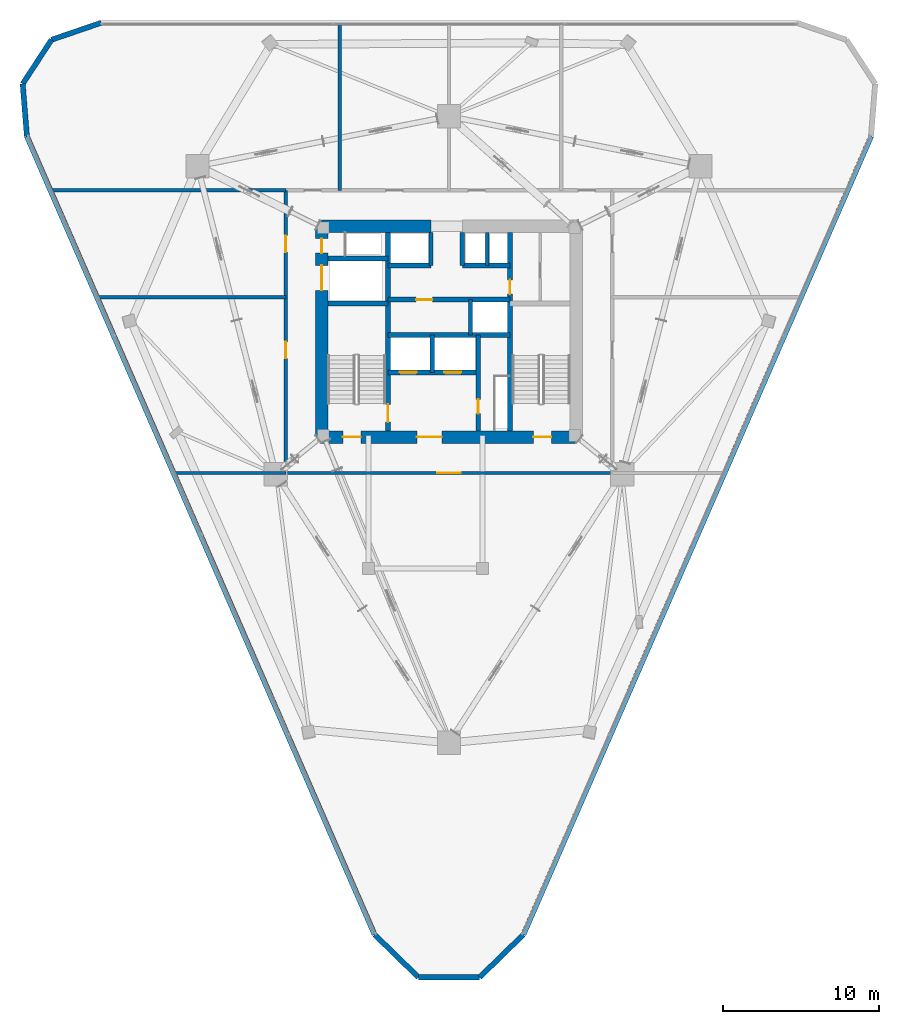
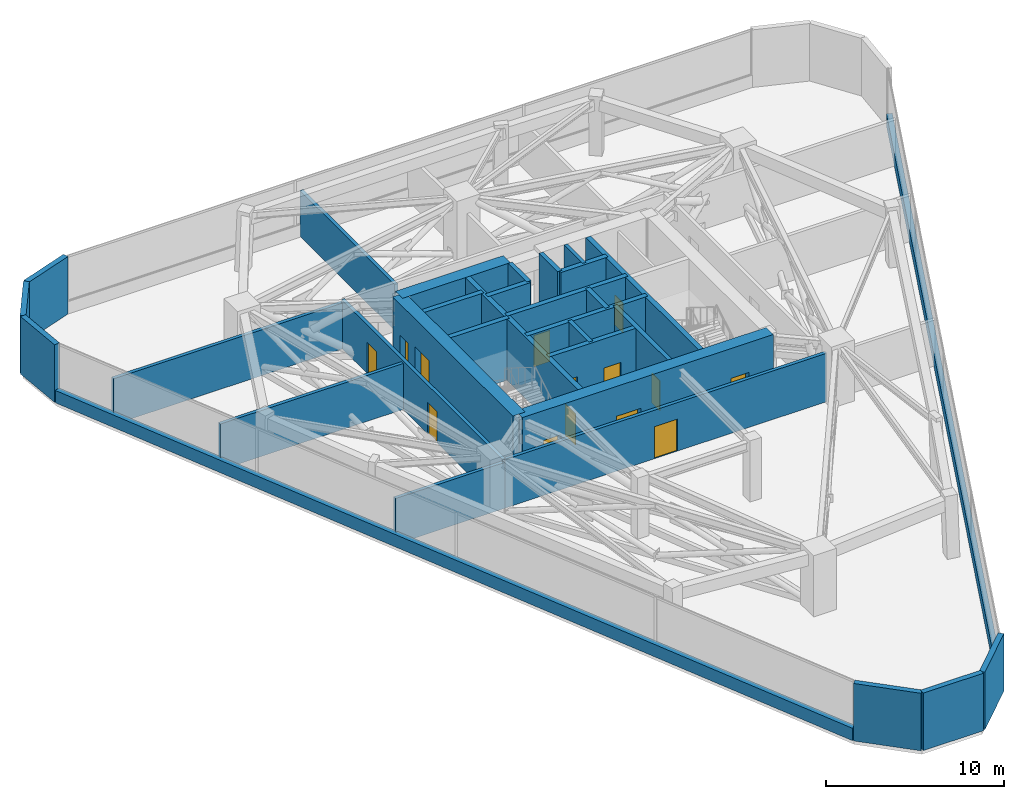
# One storey, part 11 of 13: 32 walls, 14 doors, 14 openings.
"""IFC4 building model written with IfcOpenShell, lengths in metres."""

from ifc_helpers import new_model, si_unit, direction, frame, frame_2d, origin, place, context, subcontext, project, spatial, rectangle, extrude, material, layer, layer_set, type_object, element, fill, save


model = new_model("IFC4")

# Units and contexts
model_context = context("Model", 3, precision=1e-05, world=origin(), true_north=direction((0.0, 1.0)))
body_context = subcontext(model_context, "Body", "Model", "MODEL_VIEW")
ifc_project = project(units=[si_unit("LENGTHUNIT", "METRE"), si_unit("AREAUNIT", "SQUARE_METRE"), si_unit("VOLUMEUNIT", "CUBIC_METRE"), si_unit("PLANEANGLEUNIT", "RADIAN"), si_unit("MASSUNIT", "GRAM", prefix="KILO")], contexts=[model_context])

# Site, building, storey
site_placement = place(None, origin())
site = spatial("IfcSite", under=ifc_project, at=site_placement, CompositionType="ELEMENT")
building_placement = place(site_placement, origin())
building = spatial("IfcBuilding", under=site, at=building_placement, Name="Talyreon Biosciences Tower", CompositionType="ELEMENT")
storey_placement = place(building_placement, frame((0.0, 0.0, 175.199951171875)))
storey = spatial("IfcBuildingStorey", under=building, at=storey_placement, Name="L46", CompositionType="ELEMENT", Elevation=175.199951171875)

# Walls
ifc_material_1 = material(Name="Concrete C50/60", Category="concrete")
ifc_layer_1 = layer(ifc_material_1, 0.219970703125)
ifc_layer_set_1 = layer_set([ifc_layer_1], Name="Concrete C50/60")
wall_type_1 = type_object("IfcWallType", Name="CoreShearWall_220", PredefinedType="SHEAR", material=ifc_layer_set_1)
wall_1_placement = place(storey_placement, frame((68.4599609375, 72.25, 0.0), z_axis=(0.0, 0.0, 1.0), x_axis=(0.0, 1.0, 0.0)))
element("IfcWall", 1, at=wall_1_placement, inside=storey, type_object=wall_type_1, Name="L46 Core Shaft Wall SWPHD", PredefinedType="SHEAR", context=body_context, shape_type="SweptSolid", body=[
    extrude(rectangle(XDim=2.10009765625, YDim=0.219970703125, at=frame_2d((1.050048828125, 0.0))), origin(), (0.0, 0.0, 1.0), 4.199951171875),
])
ifc_layer_2 = layer(ifc_material_1, 0.280029296875)
ifc_layer_set_2 = layer_set([ifc_layer_2], Name="Concrete C50/60")
wall_type_2 = type_object("IfcWallType", Name="CoreShearWall_280", PredefinedType="SHEAR", material=ifc_layer_set_2)
wall_2_placement = place(storey_placement, frame((64.919921875, 65.39990234375, 0.0), z_axis=(0.0, 0.0, 1.0), x_axis=(0.0, 1.0, 0.0)))
element("IfcWall", 2, at=wall_2_placement, inside=storey, type_object=wall_type_2, Name="L46 Core Shaft Wall SWSHD1", PredefinedType="SHEAR", context=body_context, shape_type="SweptSolid", body=[
    extrude(rectangle(XDim=2.400146484375, YDim=0.280029296875, at=frame_2d((1.2001953125, 0.0))), origin(), (0.0, 0.0, 1.0), 4.199951171875),
])
for number, where, z_axis, x_axis, name in (
    (3, (64.85009765625, 72.25, 0.0), (0.0, 0.0, 1.0), (0.0, 1.0, 0.0), "L46 Core Shaft Wall SWTHW"),
    (4, (66.85009765625, 72.25, 0.0), (0.0, 0.0, 1.0), (0.0, 1.0, 0.0), "L46 Core Shaft Wall SWTHE"),
):
    element("IfcWall", number, at=place(storey_placement, frame(where, z_axis=z_axis, x_axis=x_axis)), inside=storey, type_object=wall_type_2, Name=name, PredefinedType="SHEAR", context=body_context, shape_type="SweptSolid", body=[
        extrude(rectangle(XDim=2.10009765625, YDim=0.280029296875, at=frame_2d((1.050048828125, 0.0))), origin(), (0.0, 0.0, 1.0), 4.199951171875),
    ])

# Wall, opening, door
wall_3_placement = place(storey_placement, frame((67.8798828125, 61.64990234375, 0.0), z_axis=(0.0, 0.0, 1.0), x_axis=(0.0, 1.0, 0.0)))
wall_3 = element("IfcWall", 5, at=wall_3_placement, inside=storey, type_object=wall_type_2, Name="L46 Core Shaft Wall SWFFE", PredefinedType="SHEAR", context=body_context, shape_type="SweptSolid", body=[
    extrude(rectangle(XDim=6.150146484375, YDim=0.280029296875, at=frame_2d((3.0751953125, 0.0))), origin(), (0.0, 0.0, 1.0), 4.199951171875),
])
opening_1_placement = place(wall_3_placement, frame((1.10009765625, 0.0, 0.0)))
opening_1 = element("IfcOpeningElement", 6, at=opening_1_placement, cuts=wall_3, Name="Opening DR-L46-RSE", PredefinedType="OPENING", context=body_context, shape_type="SweptSolid", body=[
    extrude(rectangle(XDim=0.919921875, YDim=2.050048828125, at=frame_2d((0.4599609375, 1.02490234375))), frame((0.0, 0.14990234375, 0.0), z_axis=(0.0, -1.0, 0.0), x_axis=(1.0, 0.0, 0.0)), (0.0, 0.0, 1.0), 0.300048828125),
])
ifc_material_2 = material(Name="Painted steel fire-rated riser door", Category="steel")
door_type_1 = type_object("IfcDoorType", Name="RiserPlantAccessDoor_920x2050", OperationType="NOTDEFINED", PredefinedType="DOOR", material=ifc_material_2)
door_1_placement = place(opening_1_placement, origin())
door_1 = element("IfcDoor", 7, at=door_1_placement, inside=storey, type_object=door_type_1, Name="L46 Core Door DR-L46-RSE", OperationType="SINGLE_SWING_RIGHT", OverallHeight=2.050048828125, OverallWidth=0.919921875, PredefinedType="DOOR", context=body_context, shape_type="SweptSolid", body=[
    extrude(rectangle(XDim=0.919921875, YDim=2.050048828125, at=frame_2d((0.4599609375, 1.02490234375))), frame((0.0, 0.02490234375, 0.0), z_axis=(0.0, -1.0, 0.0), x_axis=(1.0, 0.0, 0.0)), (0.0, 0.0, 1.0), 0.050048828125),
])
fill(opening_1, door_1)

# Wall
wall_4_placement = place(storey_placement, frame((67.3798828125, 67.800048828125, 0.0), z_axis=(0.0, 0.0, 1.0), x_axis=(0.0, 1.0, 0.0)))
element("IfcWall", 8, at=wall_4_placement, inside=storey, type_object=wall_type_2, Name="L46 Core Shaft Wall SWPMD", PredefinedType="SHEAR", context=body_context, shape_type="SweptSolid", body=[
    extrude(rectangle(XDim=2.25, YDim=0.280029296875, at=frame_2d((1.125, 0.0))), origin(), (0.0, 0.0, 1.0), 4.199951171875),
])

# Wall, opening, door
ifc_layer_3 = layer(ifc_material_1, 0.320068359375)
ifc_layer_set_3 = layer_set([ifc_layer_3], Name="Concrete C50/60")
wall_type_3 = type_object("IfcWallType", Name="CoreShearWall_320", PredefinedType="SHEAR", material=ifc_layer_set_3)
wall_5_placement = place(storey_placement, frame((62.090087890625, 61.64990234375, 0.0), z_axis=(0.0, 0.0, 1.0), x_axis=(0.0, 1.0, 0.0)))
wall_5 = element("IfcWall", 9, at=wall_5_placement, inside=storey, type_object=wall_type_3, Name="L46 Core Shaft Wall SW1E", PredefinedType="SHEAR", context=body_context, shape_type="SweptSolid", body=[
    extrude(rectangle(XDim=12.7001953125, YDim=0.320068359375, at=frame_2d((6.35009765625, 0.0))), origin(), (0.0, 0.0, 1.0), 4.199951171875),
])
opening_2_placement = place(wall_5_placement, frame((0.550048828125, 0.0, 0.0)))
opening_2 = element("IfcOpeningElement", 10, at=opening_2_placement, cuts=wall_5, Name="Opening DR-L46-FF-ST1", PredefinedType="OPENING", context=body_context, shape_type="SweptSolid", body=[
    extrude(rectangle(XDim=1.14990234375, YDim=2.14990234375, at=frame_2d((0.574951171875, 1.074951171875))), frame((0.0, 0.169921875, 0.0), z_axis=(0.0, -1.0, 0.0), x_axis=(1.0, 0.0, 0.0)), (0.0, 0.0, 1.0), 0.340087890625),
])
ifc_material_3 = material(Name="Painted steel fire door", Category="steel")
door_type_2 = type_object("IfcDoorType", Name="StairShaftFireDoor_1150x2150", OperationType="NOTDEFINED", PredefinedType="DOOR", material=ifc_material_3)
door_2_placement = place(opening_2_placement, origin())
door_2 = element("IfcDoor", 11, at=door_2_placement, inside=storey, type_object=door_type_2, Name="L46 Core Door DR-L46-FF-ST1", OperationType="SINGLE_SWING_LEFT", OverallHeight=2.14990234375, OverallWidth=1.14990234375, PredefinedType="DOOR", context=body_context, shape_type="SweptSolid", body=[
    extrude(rectangle(XDim=1.14990234375, YDim=2.14990234375, at=frame_2d((0.574951171875, 1.074951171875))), frame((0.0, 0.02490234375, 0.0), z_axis=(0.0, -1.0, 0.0), x_axis=(1.0, 0.0, 0.0)), (0.0, 0.0, 1.0), 0.050048828125),
])
fill(opening_2, door_2)

wall_6_placement = place(storey_placement, frame((69.909912109375, 61.64990234375, 0.0), z_axis=(0.0, 0.0, 1.0), x_axis=(0.0, 1.0, 0.0)))
wall_6 = element("IfcWall", 12, at=wall_6_placement, inside=storey, type_object=wall_type_3, Name="L46 Core Shaft Wall SW2W", PredefinedType="SHEAR", context=body_context, shape_type="SweptSolid", body=[
    extrude(rectangle(XDim=12.7001953125, YDim=0.320068359375, at=frame_2d((6.35009765625, 0.0))), origin(), (0.0, 0.0, 1.0), 4.199951171875),
])
opening_3_placement = place(wall_6_placement, frame((8.75, 0.0, 0.0)))
opening_3 = element("IfcOpeningElement", 13, at=opening_3_placement, cuts=wall_6, Name="Opening DR-L46-CSRV", PredefinedType="OPENING", context=body_context, shape_type="SweptSolid", body=[
    extrude(rectangle(XDim=0.919921875, YDim=2.050048828125, at=frame_2d((0.4599609375, 1.02490234375))), frame((0.0, 0.169921875, 0.0), z_axis=(0.0, -1.0, 0.0), x_axis=(1.0, 0.0, 0.0)), (0.0, 0.0, 1.0), 0.340087890625),
])
door_3_placement = place(opening_3_placement, origin())
door_3 = element("IfcDoor", 14, at=door_3_placement, inside=storey, type_object=door_type_1, Name="L46 Core Door DR-L46-CSRV", OperationType="SINGLE_SWING_RIGHT", OverallHeight=2.050048828125, OverallWidth=0.919921875, PredefinedType="DOOR", context=body_context, shape_type="SweptSolid", body=[
    extrude(rectangle(XDim=0.919921875, YDim=2.050048828125, at=frame_2d((0.4599609375, 1.02490234375))), frame((0.0, 0.02490234375, 0.0), z_axis=(0.0, -1.0, 0.0), x_axis=(1.0, 0.0, 0.0)), (0.0, 0.0, 1.0), 0.050048828125),
])
fill(opening_3, door_3)

# Walls
for number, where, z_axis, x_axis, name in (
    (15, (58.25, 69.81005859375, 0.0), (0.0, 0.0, 1.0), (1.0, 0.0, 0.0), "L46 Core Shaft Wall SW1N"),
    (16, (58.25, 72.699951171875, 0.0), (0.0, 0.0, 1.0), (1.0, 0.0, 0.0), "L46 Core Shaft Wall SWGLN"),
):
    element("IfcWall", number, at=place(storey_placement, frame(where, z_axis=z_axis, x_axis=x_axis)), inside=storey, type_object=wall_type_3, Name=name, PredefinedType="SHEAR", context=body_context, shape_type="SweptSolid", body=[
        extrude(rectangle(XDim=3.840087890625, YDim=0.320068359375, at=frame_2d((1.919921875, 0.0))), origin(), (0.0, 0.0, 1.0), 4.199951171875),
    ])
wall_7_placement = place(storey_placement, frame((62.090087890625, 67.800048828125, 0.0), z_axis=(0.0, 0.0, 1.0), x_axis=(1.0, 0.0, 0.0)))
element("IfcWall", 17, at=wall_7_placement, inside=storey, type_object=wall_type_3, Name="L46 Core Shaft Wall SWSHM", PredefinedType="SHEAR", context=body_context, shape_type="SweptSolid", body=[
    extrude(rectangle(XDim=7.81982421875, YDim=0.320068359375, at=frame_2d((3.909912109375, 0.0))), origin(), (0.0, 0.0, 1.0), 4.199951171875),
])

# Wall, opening, door
wall_8_placement = place(storey_placement, frame((62.090087890625, 70.050048828125, 0.0), z_axis=(0.0, 0.0, 1.0), x_axis=(1.0, 0.0, 0.0)))
wall_8 = element("IfcWall", 18, at=wall_8_placement, inside=storey, type_object=wall_type_3, Name="L46 Core Shaft Wall SWSPN", PredefinedType="SHEAR", context=body_context, shape_type="SweptSolid", body=[
    extrude(rectangle(XDim=7.81982421875, YDim=0.320068359375, at=frame_2d((3.909912109375, 0.0))), origin(), (0.0, 0.0, 1.0), 4.199951171875),
])
opening_4_placement = place(wall_8_placement, frame((1.800048828125, 0.0, 0.0)))
opening_4 = element("IfcOpeningElement", 19, at=opening_4_placement, cuts=wall_8, Name="Opening DR-L46-PLFREE-A", PredefinedType="OPENING", context=body_context, shape_type="SweptSolid", body=[
    extrude(rectangle(XDim=1.050048828125, YDim=2.14990234375, at=frame_2d((0.52490234375, 1.074951171875))), frame((0.0, 0.169921875, 0.0), z_axis=(0.0, -1.0, 0.0), x_axis=(1.0, 0.0, 0.0)), (0.0, 0.0, 1.0), 0.340087890625),
])
ifc_material_4 = material(Name="Acoustic timber-core laboratory door", Category="wood")
door_type_3 = type_object("IfcDoorType", Name="DryLabSingleDoor_1050x2150", OperationType="NOTDEFINED", PredefinedType="DOOR", material=ifc_material_4)
door_4_placement = place(opening_4_placement, origin())
door_4 = element("IfcDoor", 20, at=door_4_placement, inside=storey, type_object=door_type_3, Name="L46 Core Door DR-L46-PLFREE-A", OperationType="SINGLE_SWING_LEFT", OverallHeight=2.14990234375, OverallWidth=1.050048828125, PredefinedType="DOOR", context=body_context, shape_type="SweptSolid", body=[
    extrude(rectangle(XDim=1.050048828125, YDim=2.14990234375, at=frame_2d((0.52490234375, 1.074951171875))), frame((0.0, 0.02490234375, 0.0), z_axis=(0.0, -1.0, 0.0), x_axis=(1.0, 0.0, 0.0)), (0.0, 0.0, 1.0), 0.050048828125),
])
fill(opening_4, door_4)

# Walls
wall_9_placement = place(storey_placement, frame((62.090087890625, 72.25, 0.0), z_axis=(0.0, 0.0, 1.0), x_axis=(1.0, 0.0, 0.0)))
element("IfcWall", 21, at=wall_9_placement, inside=storey, type_object=wall_type_3, Name="L46 Core Shaft Wall SWNPW", PredefinedType="SHEAR", context=body_context, shape_type="SweptSolid", body=[
    extrude(rectangle(XDim=2.760009765625, YDim=0.320068359375, at=frame_2d((1.3798828125, 0.0))), origin(), (0.0, 0.0, 1.0), 4.199951171875),
])
wall_10_placement = place(storey_placement, frame((66.85009765625, 72.25, 0.0), z_axis=(0.0, 0.0, 1.0), x_axis=(1.0, 0.0, 0.0)))
element("IfcWall", 22, at=wall_10_placement, inside=storey, type_object=wall_type_3, Name="L46 Core Shaft Wall SWNPE", PredefinedType="SHEAR", context=body_context, shape_type="SweptSolid", body=[
    extrude(rectangle(XDim=3.059814453125, YDim=0.320068359375, at=frame_2d((1.52978515625, 0.0))), origin(), (0.0, 0.0, 1.0), 4.199951171875),
])

# Wall, openings, doors
wall_11_placement = place(storey_placement, frame((62.090087890625, 65.39990234375, 0.0), z_axis=(0.0, 0.0, 1.0), x_axis=(1.0, 0.0, 0.0)))
wall_11 = element("IfcWall", 23, at=wall_11_placement, inside=storey, type_object=wall_type_3, Name="L46 Core Shaft Wall SWFFN", PredefinedType="SHEAR", context=body_context, shape_type="SweptSolid", body=[
    extrude(rectangle(XDim=5.789794921875, YDim=0.320068359375, at=frame_2d((2.89501953125, 0.0))), origin(), (0.0, 0.0, 1.0), 4.199951171875),
])
opening_5_placement = place(wall_11_placement, frame((0.75, 0.0, 0.0)))
opening_5 = element("IfcOpeningElement", 24, at=opening_5_placement, cuts=wall_11, Name="Opening LD-L46-FL1", PredefinedType="OPENING", context=body_context, shape_type="SweptSolid", body=[
    extrude(rectangle(XDim=1.10009765625, YDim=2.199951171875, at=frame_2d((0.550048828125, 1.10009765625))), frame((0.0, 0.169921875, 0.0), z_axis=(0.0, -1.0, 0.0), x_axis=(1.0, 0.0, 0.0)), (0.0, 0.0, 1.0), 0.340087890625),
])
opening_6_placement = place(wall_11_placement, frame((3.60009765625, 0.0, 0.0)))
opening_6 = element("IfcOpeningElement", 25, at=opening_6_placement, cuts=wall_11, Name="Opening LD-L46-FL2", PredefinedType="OPENING", context=body_context, shape_type="SweptSolid", body=[
    extrude(rectangle(XDim=1.10009765625, YDim=2.199951171875, at=frame_2d((0.550048828125, 1.10009765625))), frame((0.0, 0.169921875, 0.0), z_axis=(0.0, -1.0, 0.0), x_axis=(1.0, 0.0, 0.0)), (0.0, 0.0, 1.0), 0.340087890625),
])
ifc_material_5 = material(Name="Brushed stainless-steel lift landing door", Category="steel")
door_type_4 = type_object("IfcDoorType", Name="LiftSlidingLandingDoor_1100x2200", OperationType="SLIDING_TO_LEFT", PredefinedType="DOOR", material=ifc_material_5)
door_5_placement = place(opening_5_placement, origin())
door_5 = element("IfcDoor", 26, at=door_5_placement, inside=storey, type_object=door_type_4, Name="L46 Core Door LD-L46-FL1", OperationType="SLIDING_TO_LEFT", OverallHeight=2.199951171875, OverallWidth=1.10009765625, PredefinedType="DOOR", context=body_context, shape_type="SweptSolid", body=[
    extrude(rectangle(XDim=1.10009765625, YDim=2.199951171875, at=frame_2d((0.550048828125, 1.10009765625))), frame((0.0, 0.02490234375, 0.0), z_axis=(0.0, -1.0, 0.0), x_axis=(1.0, 0.0, 0.0)), (0.0, 0.0, 1.0), 0.050048828125),
])
fill(opening_5, door_5)
door_6_placement = place(opening_6_placement, origin())
door_6 = element("IfcDoor", 27, at=door_6_placement, inside=storey, type_object=door_type_4, Name="L46 Core Door LD-L46-FL2", OperationType="SLIDING_TO_LEFT", OverallHeight=2.199951171875, OverallWidth=1.10009765625, PredefinedType="DOOR", context=body_context, shape_type="SweptSolid", body=[
    extrude(rectangle(XDim=1.10009765625, YDim=2.199951171875, at=frame_2d((0.550048828125, 1.10009765625))), frame((0.0, 0.02490234375, 0.0), z_axis=(0.0, -1.0, 0.0), x_axis=(1.0, 0.0, 0.0)), (0.0, 0.0, 1.0), 0.050048828125),
])
fill(opening_6, door_6)

ifc_material_6 = material(Name="Concrete C60/75", Category="concrete")
ifc_layer_4 = layer(ifc_material_6, 0.800048828125)
ifc_layer_set_4 = layer_set([ifc_layer_4], Name="Concrete C60/75")
wall_type_4 = type_object("IfcWallType", Name="CoreShearWall_800", PredefinedType="SHEAR", material=ifc_layer_set_4)
wall_12_placement = place(storey_placement, frame((57.85009765625, 61.25, 0.0), z_axis=(0.0, 0.0, 1.0), x_axis=(1.0, 0.0, 0.0)))
wall_12 = element("IfcWall", 28, at=wall_12_placement, inside=storey, type_object=wall_type_4, Name="L46 Core Shear Wall S", PredefinedType="SHEAR", context=body_context, shape_type="SweptSolid", body=[
    extrude(rectangle(XDim=16.2998046875, YDim=0.800048828125, at=frame_2d((8.14990234375, 0.0))), origin(), (0.0, 0.0, 1.0), 4.199951171875),
])
opening_7_placement = place(wall_12_placement, frame((1.35009765625, 0.0, 0.0)))
opening_7 = element("IfcOpeningElement", 29, at=opening_7_placement, cuts=wall_12, Name="Opening DR-L46-ST1", PredefinedType="OPENING", context=body_context, shape_type="SweptSolid", body=[
    extrude(rectangle(XDim=1.14990234375, YDim=2.14990234375, at=frame_2d((0.574951171875, 1.074951171875))), frame((0.0, 0.409912109375, 0.0), z_axis=(0.0, -1.0, 0.0), x_axis=(1.0, 0.0, 0.0)), (0.0, 0.0, 1.0), 0.820068359375),
])
opening_8_placement = place(wall_12_placement, frame((6.10009765625, 0.0, 0.0)))
opening_8 = element("IfcOpeningElement", 30, at=opening_8_placement, cuts=wall_12, Name="Opening DR-L46-FFL", PredefinedType="OPENING", context=body_context, shape_type="SweptSolid", body=[
    extrude(rectangle(XDim=1.60009765625, YDim=2.14990234375, at=frame_2d((0.800048828125, 1.074951171875))), frame((0.0, 0.409912109375, 0.0), z_axis=(0.0, -1.0, 0.0), x_axis=(1.0, 0.0, 0.0)), (0.0, 0.0, 1.0), 0.820068359375),
])
opening_9_placement = place(wall_12_placement, frame((13.550048828125, 0.0, 0.0)))
opening_9 = element("IfcOpeningElement", 31, at=opening_9_placement, cuts=wall_12, Name="Opening DR-L46-ST2", PredefinedType="OPENING", context=body_context, shape_type="SweptSolid", body=[
    extrude(rectangle(XDim=1.14990234375, YDim=2.14990234375, at=frame_2d((0.574951171875, 1.074951171875))), frame((0.0, 0.409912109375, 0.0), z_axis=(0.0, -1.0, 0.0), x_axis=(1.0, 0.0, 0.0)), (0.0, 0.0, 1.0), 0.820068359375),
])
ifc_material_7 = material(Name="Painted steel smoke-seal fire door", Category="steel")
door_type_5 = type_object("IfcDoorType", Name="FirefightingLobbyDoubleDoor_1600x2150", OperationType="DOUBLE_DOOR_SINGLE_SWING", PredefinedType="DOOR", material=ifc_material_7)
door_7_placement = place(opening_8_placement, origin())
door_7 = element("IfcDoor", 32, at=door_7_placement, inside=storey, type_object=door_type_5, Name="L46 Core Door DR-L46-FFL", OperationType="DOUBLE_DOOR_SINGLE_SWING", OverallHeight=2.14990234375, OverallWidth=1.60009765625, PredefinedType="DOOR", context=body_context, shape_type="SweptSolid", body=[
    extrude(rectangle(XDim=1.60009765625, YDim=2.14990234375, at=frame_2d((0.800048828125, 1.074951171875))), frame((0.0, 0.02490234375, 0.0), z_axis=(0.0, -1.0, 0.0), x_axis=(1.0, 0.0, 0.0)), (0.0, 0.0, 1.0), 0.050048828125),
])
fill(opening_8, door_7)
door_8_placement = place(opening_7_placement, origin())
door_8 = element("IfcDoor", 33, at=door_8_placement, inside=storey, type_object=door_type_2, Name="L46 Core Door DR-L46-ST1", OperationType="SINGLE_SWING_LEFT", OverallHeight=2.14990234375, OverallWidth=1.14990234375, PredefinedType="DOOR", context=body_context, shape_type="SweptSolid", body=[
    extrude(rectangle(XDim=1.14990234375, YDim=2.14990234375, at=frame_2d((0.574951171875, 1.074951171875))), frame((0.0, 0.02490234375, 0.0), z_axis=(0.0, -1.0, 0.0), x_axis=(1.0, 0.0, 0.0)), (0.0, 0.0, 1.0), 0.050048828125),
])
fill(opening_7, door_8)
door_9_placement = place(opening_9_placement, origin())
door_9 = element("IfcDoor", 34, at=door_9_placement, inside=storey, type_object=door_type_2, Name="L46 Core Door DR-L46-ST2", OperationType="SINGLE_SWING_RIGHT", OverallHeight=2.14990234375, OverallWidth=1.14990234375, PredefinedType="DOOR", context=body_context, shape_type="SweptSolid", body=[
    extrude(rectangle(XDim=1.14990234375, YDim=2.14990234375, at=frame_2d((0.574951171875, 1.074951171875))), frame((0.0, 0.02490234375, 0.0), z_axis=(0.0, -1.0, 0.0), x_axis=(1.0, 0.0, 0.0)), (0.0, 0.0, 1.0), 0.050048828125),
])
fill(opening_9, door_9)

# Wall
wall_13_placement = place(storey_placement, frame((64.85009765625, 74.75, 0.0), z_axis=(0.0, 0.0, 1.0), x_axis=(-1.0, 0.0, 0.0)))
element("IfcWall", 35, at=wall_13_placement, inside=storey, type_object=wall_type_4, Name="L46 Core Shear Wall NW", PredefinedType="SHEAR", context=body_context, shape_type="SweptSolid", body=[
    extrude(rectangle(XDim=7.0, YDim=0.800048828125, at=frame_2d((3.5, 0.0))), origin(), (0.0, 0.0, 1.0), 4.199951171875),
])

# Wall, openings, doors
wall_14_placement = place(storey_placement, frame((57.85009765625, 74.75, 0.0), z_axis=(0.0, 0.0, 1.0), x_axis=(0.0, -1.0, 0.0)))
wall_14 = element("IfcWall", 36, at=wall_14_placement, inside=storey, type_object=wall_type_4, Name="L46 Core Shear Wall W", PredefinedType="SHEAR", context=body_context, shape_type="SweptSolid", body=[
    extrude(rectangle(XDim=13.5, YDim=0.800048828125, at=frame_2d((6.75, 0.0))), origin(), (0.0, 0.0, 1.0), 4.199951171875),
])
opening_10_placement = place(wall_14_placement, frame((0.800048828125, 0.0, 0.0)))
opening_10 = element("IfcOpeningElement", 37, at=opening_10_placement, cuts=wall_14, Name="Opening DR-L46-RSW", PredefinedType="OPENING", context=body_context, shape_type="SweptSolid", body=[
    extrude(rectangle(XDim=0.919921875, YDim=2.050048828125, at=frame_2d((0.4599609375, 1.02490234375))), frame((0.0, 0.409912109375, 0.0), z_axis=(0.0, -1.0, 0.0), x_axis=(1.0, 0.0, 0.0)), (0.0, 0.0, 1.0), 0.820068359375),
])
opening_11_placement = place(wall_14_placement, frame((2.5, 0.0, 0.0)))
opening_11 = element("IfcOpeningElement", 38, at=opening_11_placement, cuts=wall_14, Name="Opening LD-L46-GL1", PredefinedType="OPENING", context=body_context, shape_type="SweptSolid", body=[
    extrude(rectangle(XDim=1.60009765625, YDim=2.300048828125, at=frame_2d((0.800048828125, 1.14990234375))), frame((0.0, 0.409912109375, 0.0), z_axis=(0.0, -1.0, 0.0), x_axis=(1.0, 0.0, 0.0)), (0.0, 0.0, 1.0), 0.820068359375),
])
ifc_material_8 = material(Name="Heavy-duty stainless-steel goods lift door", Category="steel")
door_type_6 = type_object("IfcDoorType", Name="GoodsLiftSlidingDoor_1600x2300", OperationType="DOUBLE_DOOR_SLIDING", PredefinedType="DOOR", material=ifc_material_8)
door_10_placement = place(opening_11_placement, origin())
door_10 = element("IfcDoor", 39, at=door_10_placement, inside=storey, type_object=door_type_6, Name="L46 Core Door LD-L46-GL1", OperationType="DOUBLE_DOOR_SLIDING", OverallHeight=2.300048828125, OverallWidth=1.60009765625, PredefinedType="DOOR", context=body_context, shape_type="SweptSolid", body=[
    extrude(rectangle(XDim=1.60009765625, YDim=2.300048828125, at=frame_2d((0.800048828125, 1.14990234375))), frame((0.0, 0.02490234375, 0.0), z_axis=(0.0, -1.0, 0.0), x_axis=(1.0, 0.0, 0.0)), (0.0, 0.0, 1.0), 0.050048828125),
])
fill(opening_11, door_10)
door_11_placement = place(opening_10_placement, origin())
door_11 = element("IfcDoor", 40, at=door_11_placement, inside=storey, type_object=door_type_1, Name="L46 Core Door DR-L46-RSW", OperationType="SINGLE_SWING_LEFT", OverallHeight=2.050048828125, OverallWidth=0.919921875, PredefinedType="DOOR", context=body_context, shape_type="SweptSolid", body=[
    extrude(rectangle(XDim=0.919921875, YDim=2.050048828125, at=frame_2d((0.4599609375, 1.02490234375))), frame((0.0, 0.02490234375, 0.0), z_axis=(0.0, -1.0, 0.0), x_axis=(1.0, 0.0, 0.0)), (0.0, 0.0, 1.0), 0.050048828125),
])
fill(opening_10, door_11)

# Walls
ifc_material_9 = material(Name="Gypsum fireboard acoustic stud", Category="gypsum")
ifc_layer_5 = layer(ifc_material_9, 0.219970703125)
ifc_layer_set_5 = layer_set([ifc_layer_5], Name="Gypsum fireboard acoustic stud")
wall_type_5 = type_object("IfcWallType", Name="CorridorRatedPartition_220", PredefinedType="PARTITIONING", material=ifc_layer_set_5)
wall_15_placement = place(storey_placement, frame((59.0, 77.050048828125, 0.0), z_axis=(0.0, 0.0, 1.0), x_axis=(0.0, 1.0, 0.0)))
element("IfcWall", 41, at=wall_15_placement, inside=storey, type_object=wall_type_5, Name="L46 Interior Wall IW-L46-ND1", PredefinedType="PARTITIONING", context=body_context, shape_type="SweptSolid", body=[
    extrude(rectangle(XDim=10.650634765625, YDim=0.219970703125, at=frame_2d((5.3251953125, 0.0))), origin(), (0.0, 0.0, 1.0), 3.150146484375),
])
wall_16_placement = place(storey_placement, frame((40.5703125, 77.050048828125, 0.0), z_axis=(0.0, 0.0, 1.0), x_axis=(1.0, 0.0, 0.0)))
element("IfcWall", 42, at=wall_16_placement, inside=storey, type_object=wall_type_5, Name="L46 Interior Wall IW-L46-NDIV-NW", PredefinedType="PARTITIONING", context=body_context, shape_type="SweptSolid", body=[
    extrude(rectangle(XDim=14.979736328125, YDim=0.219970703125, at=frame_2d((7.48974609375, 0.0))), origin(), (0.0, 0.0, 1.0), 3.150146484375),
])
wall_17_placement = place(storey_placement, frame((43.5537109375, 70.199951171875, 0.0), z_axis=(0.0, 0.0, 1.0), x_axis=(1.0, 0.0, 0.0)))
element("IfcWall", 43, at=wall_17_placement, inside=storey, type_object=wall_type_5, Name="L46 Interior Wall IW-L46-WD1", PredefinedType="PARTITIONING", context=body_context, shape_type="SweptSolid", body=[
    extrude(rectangle(XDim=11.996337890625, YDim=0.219970703125, at=frame_2d((5.998046875, 0.0))), origin(), (0.0, 0.0, 1.0), 3.150146484375),
])
wall_18_placement = place(storey_placement, frame((48.453369140625, 58.949951171875, 0.0), z_axis=(0.0, 0.0, 1.0), x_axis=(1.0, 0.0, 0.0)))
element("IfcWall", 44, at=wall_18_placement, inside=storey, type_object=wall_type_5, Name="L46 Interior Wall IW-L46-PDIV-SW", PredefinedType="PARTITIONING", context=body_context, shape_type="SweptSolid", body=[
    extrude(rectangle(XDim=7.0966796875, YDim=0.219970703125, at=frame_2d((3.54833984375, 0.0))), origin(), (0.0, 0.0, 1.0), 3.150146484375),
])

# Wall, opening, door
wall_19_placement = place(storey_placement, frame((55.550048828125, 58.949951171875, 0.0), z_axis=(0.0, 0.0, 1.0), x_axis=(1.0, 0.0, 0.0)))
wall_19 = element("IfcWall", 45, at=wall_19_placement, inside=storey, type_object=wall_type_5, Name="L46 Interior Wall IW-L46-PC-S", PredefinedType="PARTITIONING", context=body_context, shape_type="SweptSolid", body=[
    extrude(rectangle(XDim=20.89990234375, YDim=0.219970703125, at=frame_2d((10.449951171875, 0.0))), origin(), (0.0, 0.0, 1.0), 3.330078125),
])
opening_12_placement = place(wall_19_placement, frame((9.699951171875, 0.0, 0.0)))
opening_12 = element("IfcOpeningElement", 46, at=opening_12_placement, cuts=wall_19, Name="Opening DR-L46-PL-S", PredefinedType="OPENING", context=body_context, shape_type="SweptSolid", body=[
    extrude(rectangle(XDim=1.5, YDim=2.199951171875, at=frame_2d((0.75, 1.10009765625))), frame((0.0, 0.119873046875, 0.0), z_axis=(0.0, -1.0, 0.0), x_axis=(1.0, 0.0, 0.0)), (0.0, 0.0, 1.0), 0.239990234375),
])
ifc_material_10 = material(Name="Vision-panel steel laboratory fire door", Category="steel")
door_type_7 = type_object("IfcDoorType", Name="WetLabDoubleLeafDoor_1500x2200", OperationType="DOUBLE_DOOR_SINGLE_SWING", PredefinedType="DOOR", material=ifc_material_10)
door_12_placement = place(opening_12_placement, origin())
door_12 = element("IfcDoor", 47, at=door_12_placement, inside=storey, type_object=door_type_7, Name="L46 Interior Door DR-L46-PL-S", OperationType="DOUBLE_DOOR_SINGLE_SWING", OverallHeight=2.199951171875, OverallWidth=1.5, PredefinedType="DOOR", context=body_context, shape_type="SweptSolid", body=[
    extrude(rectangle(XDim=1.5, YDim=2.199951171875, at=frame_2d((0.75, 1.10009765625))), frame((0.0, 0.02490234375, 0.0), z_axis=(0.0, -1.0, 0.0), x_axis=(1.0, 0.0, 0.0)), (0.0, 0.0, 1.0), 0.050048828125),
])
fill(opening_12, door_12)

# Wall, openings, doors
wall_20_placement = place(storey_placement, frame((55.550048828125, 58.949951171875, 0.0), z_axis=(0.0, 0.0, 1.0), x_axis=(0.0, 1.0, 0.0)))
wall_20 = element("IfcWall", 48, at=wall_20_placement, inside=storey, type_object=wall_type_5, Name="L46 Interior Wall IW-L46-PC-W", PredefinedType="PARTITIONING", context=body_context, shape_type="SweptSolid", body=[
    extrude(rectangle(XDim=18.10009765625, YDim=0.219970703125, at=frame_2d((9.050048828125, 0.0))), origin(), (0.0, 0.0, 1.0), 3.330078125),
])
opening_13_placement = place(wall_20_placement, frame((7.340087890625, 0.0, 0.0)))
opening_13 = element("IfcOpeningElement", 49, at=opening_13_placement, cuts=wall_20, Name="Opening DR-L46-PL-WB", PredefinedType="OPENING", context=body_context, shape_type="SweptSolid", body=[
    extrude(rectangle(XDim=1.050048828125, YDim=2.14990234375, at=frame_2d((0.52490234375, 1.074951171875))), frame((0.0, 0.119873046875, 0.0), z_axis=(0.0, -1.0, 0.0), x_axis=(1.0, 0.0, 0.0)), (0.0, 0.0, 1.0), 0.239990234375),
])
opening_14_placement = place(wall_20_placement, frame((14.14990234375, 0.0, 0.0)))
opening_14 = element("IfcOpeningElement", 50, at=opening_14_placement, cuts=wall_20, Name="Opening DR-L46-PL-WA", PredefinedType="OPENING", context=body_context, shape_type="SweptSolid", body=[
    extrude(rectangle(XDim=1.050048828125, YDim=2.14990234375, at=frame_2d((0.52490234375, 1.074951171875))), frame((0.0, 0.119873046875, 0.0), z_axis=(0.0, -1.0, 0.0), x_axis=(1.0, 0.0, 0.0)), (0.0, 0.0, 1.0), 0.239990234375),
])
door_13_placement = place(opening_13_placement, origin())
door_13 = element("IfcDoor", 51, at=door_13_placement, inside=storey, type_object=door_type_3, Name="L46 Interior Door DR-L46-PL-WB", OperationType="SINGLE_SWING_RIGHT", OverallHeight=2.14990234375, OverallWidth=1.050048828125, PredefinedType="DOOR", context=body_context, shape_type="SweptSolid", body=[
    extrude(rectangle(XDim=1.050048828125, YDim=2.14990234375, at=frame_2d((0.52490234375, 1.074951171875))), frame((0.0, 0.02490234375, 0.0), z_axis=(0.0, -1.0, 0.0), x_axis=(1.0, 0.0, 0.0)), (0.0, 0.0, 1.0), 0.050048828125),
])
fill(opening_13, door_13)
door_14_placement = place(opening_14_placement, origin())
door_14 = element("IfcDoor", 52, at=door_14_placement, inside=storey, type_object=door_type_3, Name="L46 Interior Door DR-L46-PL-WA", OperationType="SINGLE_SWING_RIGHT", OverallHeight=2.14990234375, OverallWidth=1.050048828125, PredefinedType="DOOR", context=body_context, shape_type="SweptSolid", body=[
    extrude(rectangle(XDim=1.050048828125, YDim=2.14990234375, at=frame_2d((0.52490234375, 1.074951171875))), frame((0.0, 0.02490234375, 0.0), z_axis=(0.0, -1.0, 0.0), x_axis=(1.0, 0.0, 0.0)), (0.0, 0.0, 1.0), 0.050048828125),
])
fill(opening_14, door_14)

# Walls
ifc_material_11 = material(Name="Precast concrete C45/55", Category="concrete")
ifc_layer_6 = layer(ifc_material_11, 0.340087890625)
ifc_layer_set_6 = layer_set([ifc_layer_6], Name="Precast concrete C45/55")
wall_type_6 = type_object("IfcWallType", Name="PrecastConcreteSpandrelWall_340", PredefinedType="STANDARD", material=ifc_layer_set_6)
wall_21_placement = place(storey_placement, frame((61.232421875, 29.3955078125, 0.0), z_axis=(0.0, 0.0, 1.0), x_axis=(-0.399299124271, 0.916820707312, 0.0)))
element("IfcWall", 53, at=wall_21_placement, inside=storey, type_object=wall_type_6, Name="L46 Expressed Concrete Sill Wall 00", PredefinedType="STANDARD", context=body_context, shape_type="SweptSolid", body=[
    extrude(rectangle(XDim=55.75146484375, YDim=0.340087890625, at=frame_2d((27.875732421875, 0.0))), origin(), (0.0, 0.0, 1.0), 0.85009765625),
])
for number, where, z_axis, x_axis, name in (
    (54, (38.970947265625, 80.509521484375, 0.0), (0.0, 0.0, 1.0), (-0.080427112157, 0.996760492611, 0.0), "L46 Rounded-Corner Concrete Pier 01"),
    (55, (38.69970703125, 83.87109375, 0.0), (0.0, 0.0, 1.0), (0.548083892996, 0.836423365431, 0.0), "L46 Rounded-Corner Concrete Pier 02"),
):
    element("IfcWall", number, at=place(storey_placement, frame(where, z_axis=z_axis, x_axis=x_axis)), inside=storey, type_object=wall_type_6, Name=name, PredefinedType="STANDARD", context=body_context, shape_type="SweptSolid", body=[
        extrude(rectangle(XDim=3.37255859375, YDim=0.340087890625, at=frame_2d((1.686279296875, 0.0))), origin(), (0.0, 0.0, 1.0), 3.949951171875),
    ])
wall_22_placement = place(storey_placement, frame((40.548095703125, 86.69189453125, 0.0), z_axis=(0.0, 0.0, 1.0), x_axis=(0.94595609767, 0.324294713618, 0.0)))
element("IfcWall", 56, at=wall_22_placement, inside=storey, type_object=wall_type_6, Name="L46 Rounded-Corner Concrete Pier 03", PredefinedType="STANDARD", context=body_context, shape_type="SweptSolid", body=[
    extrude(rectangle(XDim=3.372802734375, YDim=0.340087890625, at=frame_2d((1.6865234375, 0.0))), origin(), (0.0, 0.0, 1.0), 3.949951171875),
])
wall_23_placement = place(storey_placement, frame((93.029052734375, 80.509521484375, 0.0), z_axis=(0.0, 0.0, 1.0), x_axis=(-0.399299124271, -0.916820707312, 0.0)))
element("IfcWall", 57, at=wall_23_placement, inside=storey, type_object=wall_type_6, Name="L46 Expressed Concrete Sill Wall 08", PredefinedType="STANDARD", context=body_context, shape_type="SweptSolid", body=[
    extrude(rectangle(XDim=55.75146484375, YDim=0.340087890625, at=frame_2d((27.875732421875, 0.0))), origin(), (0.0, 0.0, 1.0), 0.85009765625),
])
wall_24_placement = place(storey_placement, frame((70.767578125, 29.3955078125, 0.0), z_axis=(0.0, 0.0, 1.0), x_axis=(-0.715583095566, -0.698527618166, 0.0)))
element("IfcWall", 58, at=wall_24_placement, inside=storey, type_object=wall_type_6, Name="L46 Rounded-Corner Concrete Pier 09", PredefinedType="STANDARD", context=body_context, shape_type="SweptSolid", body=[
    extrude(rectangle(XDim=3.922119140625, YDim=0.340087890625, at=frame_2d((1.9609375, 0.0))), origin(), (0.0, 0.0, 1.0), 3.949951171875),
])
wall_25_placement = place(storey_placement, frame((67.9609375, 26.65576171875, 0.0), z_axis=(0.0, 0.0, 1.0), x_axis=(-1.0, 0.0, 0.0)))
element("IfcWall", 59, at=wall_25_placement, inside=storey, type_object=wall_type_6, Name="L46 Rounded-Corner Concrete Pier 10", PredefinedType="STANDARD", context=body_context, shape_type="SweptSolid", body=[
    extrude(rectangle(XDim=3.921875, YDim=0.340087890625, at=frame_2d((1.9609375, 0.0))), origin(), (0.0, 0.0, 1.0), 3.949951171875),
])
wall_26_placement = place(storey_placement, frame((64.0390625, 26.65576171875, 0.0), z_axis=(0.0, 0.0, 1.0), x_axis=(-0.715583095566, 0.698527618166, 0.0)))
element("IfcWall", 60, at=wall_26_placement, inside=storey, type_object=wall_type_6, Name="L46 Rounded-Corner Concrete Pier 11", PredefinedType="STANDARD", context=body_context, shape_type="SweptSolid", body=[
    extrude(rectangle(XDim=3.922119140625, YDim=0.340087890625, at=frame_2d((1.9609375, 0.0))), origin(), (0.0, 0.0, 1.0), 3.949951171875),
])

save(model, "model.ifc")
